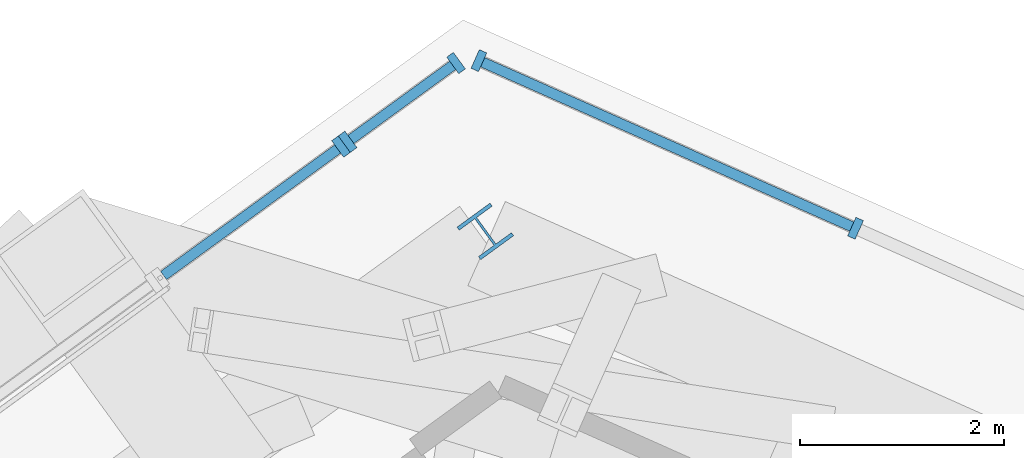
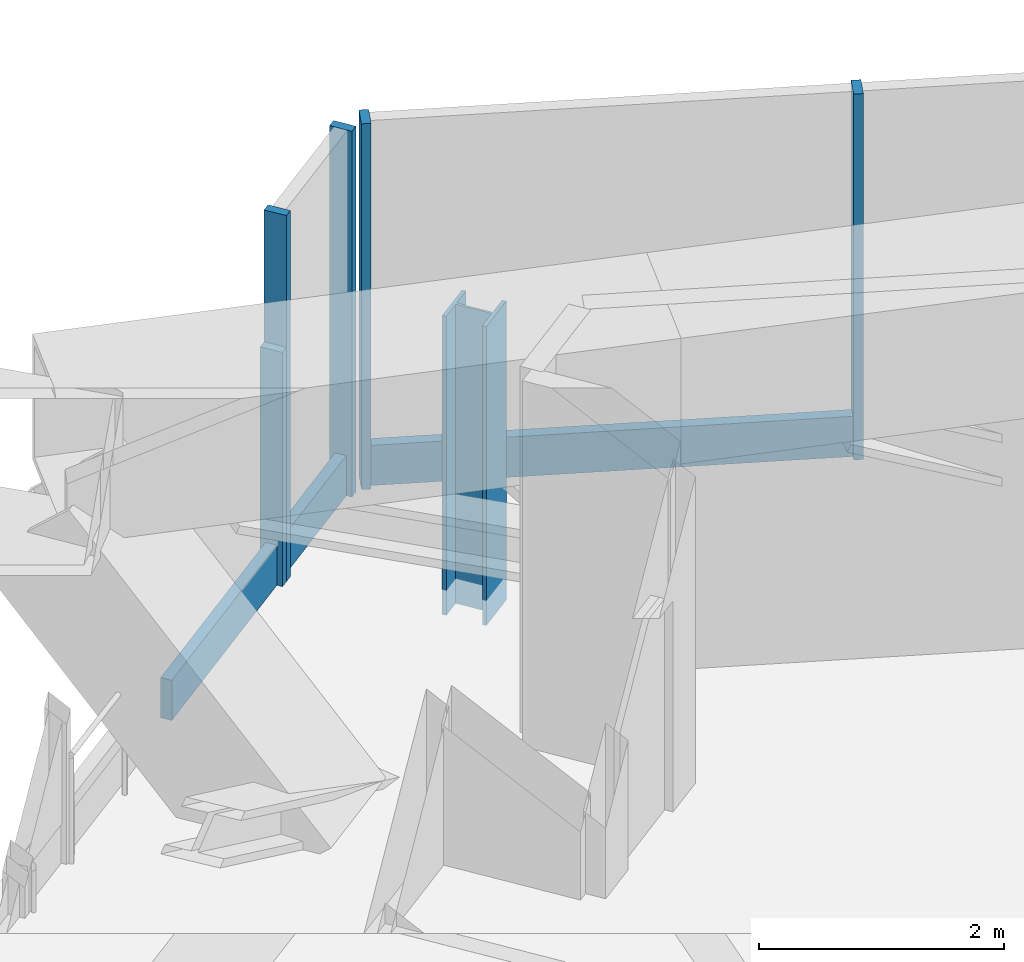
# One storey, part 9 of 30: 9 members, 3 elements without a shape of their own.
"""IFC4 building model written with IfcOpenShell, lengths in metres."""

from ifc_helpers import new_model, si_unit, direction, frame, origin, origin_2d, place, context, subcontext, project, spatial, rectangle, i_section, extrude, source, transform, mapped, material, material_profile, profile_set, type_object, element, aggregate, save


model = new_model("IFC4")

# Units and contexts
model_context = context("Model", 3, precision=1e-05, world=origin(), true_north=direction((0.0, 1.0)))
body_context = subcontext(model_context, "Body", "Model", "MODEL_VIEW")
ifc_project = project(units=[si_unit("LENGTHUNIT", "METRE"), si_unit("AREAUNIT", "SQUARE_METRE"), si_unit("VOLUMEUNIT", "CUBIC_METRE"), si_unit("PLANEANGLEUNIT", "RADIAN"), si_unit("MASSUNIT", "GRAM", prefix="KILO")], contexts=[model_context])

# Site, building, storey
site_placement = place(None, origin())
site = spatial("IfcSite", under=ifc_project, at=site_placement, CompositionType="ELEMENT")
building_placement = place(site_placement, origin())
building = spatial("IfcBuilding", under=site, at=building_placement, Name="Triune Harvest Tower", CompositionType="ELEMENT")
storey_placement = place(building_placement, frame((0.0, 0.0, 94.5)))
storey = spatial("IfcBuildingStorey", under=building, at=storey_placement, Name="L23", CompositionType="ELEMENT", Elevation=94.5)

# Member
ifc_material_1 = material(Name="Steel ASTM A992 Gr 50", Category="steel")
ifc_material_profile_1 = material_profile(ifc_material_1, i_section(OverallWidth=0.398681640625, OverallDepth=0.393798828125, WebThickness=0.022705078125, FlangeThickness=0.03662109375, at=origin_2d()), Name="W14x193")
ifc_profile_set_1 = profile_set([ifc_material_profile_1], Name="Steel ASTM A992 Gr 50")
member_type_1 = type_object("IfcMemberType", Name="WP-2 Roof edge post W14x193", PredefinedType="POST", material=ifc_profile_set_1)
shared_shape_1 = source(origin(), body_context, "Body", "SweptSolid", [
    extrude(i_section(OverallWidth=0.398681640625, OverallDepth=0.393798828125, WebThickness=0.022705078125, FlangeThickness=0.03662109375, at=origin_2d()), origin(), (0.0, 0.0, 1.0), 2.9755859375),
])
member_1_placement = place(storey_placement, frame((8.61328125, 32.4580078125, -0.25), z_axis=(0.0, 0.0, 1.0), x_axis=(-0.809016994375, -0.587785252292, 0.0)))
element("IfcMember", 1, at=member_1_placement, inside=storey, type_object=member_type_1, Name="post/L23/W8", PredefinedType="POST", context=body_context, shape_type="MappedRepresentation", body=[
    mapped(shared_shape_1, transform((0.0, 0.0, 0.0), scale=1.0)),
])

# Curtain wall, member
ifc_material_2 = material(Name="Aluminium bronze anodised", Category="aluminium")
curtain_wall_type = type_object("IfcCurtainWallType", Name="CW-5 Plant louvre wall", PredefinedType="NOTDEFINED", material=ifc_material_2)
curtain_wall_1_placement = place(storey_placement, origin())
curtain_wall_1 = element("IfcCurtainWall", 2, at=curtain_wall_1_placement, inside=storey, type_object=curtain_wall_type, Name="CW-5 B2-F3 L23 run 101")
ifc_material_3 = material(Name="Aluminium bronze anodised", Category="aluminium")
ifc_material_profile_2 = material_profile(ifc_material_3, rectangle(XDim=0.199951171875, YDim=0.080078125, at=origin_2d()), Name="MU-5 mullion 80 x 200")
ifc_profile_set_2 = profile_set([ifc_material_profile_2], Name="Aluminium bronze anodised")
member_type_2 = type_object("IfcMemberType", Name="MU-5 mullion 80 x 200", PredefinedType="MULLION", material=ifc_profile_set_2)
shared_shape_2 = source(origin(), body_context, "Body", "SweptSolid", [
    extrude(rectangle(XDim=0.199951171875, YDim=0.080078125, at=origin_2d()), origin(), (0.0, 0.0, 1.0), 2.330078125),
])
member_2_placement = place(storey_placement, frame((7.200927734375, 33.287841796875, 0.0), z_axis=(0.0, 0.0, 1.0), x_axis=(0.587791087964, -0.809012754479, 0.0)))
member_2 = element("IfcMember", 3, at=member_2_placement, type_object=member_type_2, Name="CW-5 mullion B2-F3 101.1", PredefinedType="MULLION", context=body_context, shape_type="MappedRepresentation", body=[
    mapped(shared_shape_2, transform((0.0, 0.0, 0.0), scale=1.0)),
])

# Curtain wall, members
curtain_wall_2_placement = place(storey_placement, origin())
curtain_wall_2 = element("IfcCurtainWall", 4, at=curtain_wall_2_placement, inside=storey, type_object=curtain_wall_type, Name="CW-5 B2-F2 L23 run 1")
shared_shape_3 = source(origin(), body_context, "Body", "SweptSolid", [
    extrude(rectangle(XDim=0.199951171875, YDim=0.080078125, at=origin_2d()), origin(), (0.0, 0.0, 1.0), 3.639892578125),
])
member_3_placement = place(storey_placement, frame((12.2353515625, 32.48876953125, 0.0), z_axis=(0.0, 0.0, 1.0), x_axis=(-0.406733978386, -0.913546644034, 0.0)))
member_3 = element("IfcMember", 5, at=member_3_placement, type_object=member_type_2, Name="CW-5 mullion B2-F2 1.3", PredefinedType="MULLION", context=body_context, shape_type="MappedRepresentation", body=[
    mapped(shared_shape_3, transform((0.0, 0.0, 0.0), scale=1.0)),
])
member_4_placement = place(storey_placement, frame((8.55078125, 34.12939453125, 0.0), z_axis=(0.0, 0.0, 1.0), x_axis=(-0.406733978386, -0.913546644034, 0.0)))
member_4 = element("IfcMember", 6, at=member_4_placement, type_object=member_type_2, Name="CW-5 mullion B2-F2 1.4", PredefinedType="MULLION", context=body_context, shape_type="MappedRepresentation", body=[
    mapped(shared_shape_3, transform((0.0, 0.0, 0.0), scale=1.0)),
])

curtain_wall_3_placement = place(storey_placement, origin())
curtain_wall_3 = element("IfcCurtainWall", 7, at=curtain_wall_3_placement, inside=storey, type_object=curtain_wall_type, Name="CW-5 B2-F3 L23 run 1")
member_5_placement = place(storey_placement, frame((8.326904296875, 34.105712890625, 0.0), z_axis=(0.0, 0.0, 1.0), x_axis=(0.587765695977, -0.809031202509, 0.0)))
member_5 = element("IfcMember", 8, at=member_5_placement, type_object=member_type_2, Name="CW-5 mullion B2-F3 1.1", PredefinedType="MULLION", context=body_context, shape_type="MappedRepresentation", body=[
    mapped(shared_shape_3, transform((0.0, 0.0, 0.0), scale=1.0)),
])
member_6_placement = place(storey_placement, frame((7.265869140625, 33.3349609375, 0.0), z_axis=(0.0, 0.0, 1.0), x_axis=(0.587765695977, -0.809031202509, 0.0)))
member_6 = element("IfcMember", 9, at=member_6_placement, type_object=member_type_2, Name="CW-5 mullion B2-F3 1.2", PredefinedType="MULLION", context=body_context, shape_type="MappedRepresentation", body=[
    mapped(shared_shape_3, transform((0.0, 0.0, 0.0), scale=1.0)),
])
ifc_material_4 = material(Name="Aluminium bronze anodised", Category="aluminium")
ifc_material_profile_3 = material_profile(ifc_material_4, rectangle(XDim=0.10009765625, YDim=0.39990234375, at=origin_2d()), Name="TR-5 transom 100 x 400")
ifc_profile_set_3 = profile_set([ifc_material_profile_3], Name="Aluminium bronze anodised")
member_type_3 = type_object("IfcMemberType", Name="TR-5 transom 100 x 400", PredefinedType="USERDEFINED", material=ifc_profile_set_3)
shared_shape_4 = source(origin(), body_context, "Body", "SweptSolid", [
    extrude(rectangle(XDim=0.10009765625, YDim=0.39990234375, at=origin_2d()), origin(), (0.0, 0.0, 1.0), 1.2314453125),
])
member_7_placement = place(storey_placement, frame((8.29443359375, 34.082275390625, 0.199951171875), z_axis=(-0.809018885102, -0.587782649921, 0.0), x_axis=(0.587782649921, -0.809018885102, 0.0)))
member_7 = element("IfcMember", 10, at=member_7_placement, type_object=member_type_3, Name="CW-5 transom B2-F3 1.1", ObjectType="TRANSOM", PredefinedType="USERDEFINED", context=body_context, shape_type="MappedRepresentation", body=[
    mapped(shared_shape_4, transform((0.0, 0.0, 0.0), scale=1.0)),
])
aggregate(curtain_wall_3, [member_5, member_6, member_7])

# Member
shared_shape_5 = source(origin(), body_context, "Body", "SweptSolid", [
    extrude(rectangle(XDim=0.10009765625, YDim=0.39990234375, at=origin_2d()), origin(), (0.0, 0.0, 1.0), 2.105712890625),
])
member_8_placement = place(storey_placement, frame((7.168701171875, 33.264404296875, 0.199951171875), z_axis=(-0.80896666391, -0.587854519998, 0.0), x_axis=(0.587854519998, -0.80896666391, 0.0)))
member_8 = element("IfcMember", 11, at=member_8_placement, type_object=member_type_3, Name="CW-5 transom B2-F3 101.1", ObjectType="TRANSOM", PredefinedType="USERDEFINED", context=body_context, shape_type="MappedRepresentation", body=[
    mapped(shared_shape_5, transform((0.0, 0.0, 0.0), scale=1.0)),
])

aggregate(curtain_wall_1, [member_2, member_8])

shared_shape_6 = source(origin(), body_context, "Body", "SweptSolid", [
    extrude(rectangle(XDim=0.10009765625, YDim=0.39990234375, at=origin_2d()), origin(), (0.0, 0.0, 1.0), 3.953369140625),
])
member_9_placement = place(storey_placement, frame((12.198974609375, 32.505126953125, 0.199951171875), z_axis=(-0.913551605918, 0.406722833541, 0.0), x_axis=(-0.406722833541, -0.913551605918, 0.0)))
member_9 = element("IfcMember", 12, at=member_9_placement, type_object=member_type_3, Name="CW-5 transom B2-F2 1.2", ObjectType="TRANSOM", PredefinedType="USERDEFINED", context=body_context, shape_type="MappedRepresentation", body=[
    mapped(shared_shape_6, transform((0.0, 0.0, 0.0), scale=1.0)),
])

aggregate(curtain_wall_2, [member_3, member_4, member_9])

save(model, "model.ifc")
